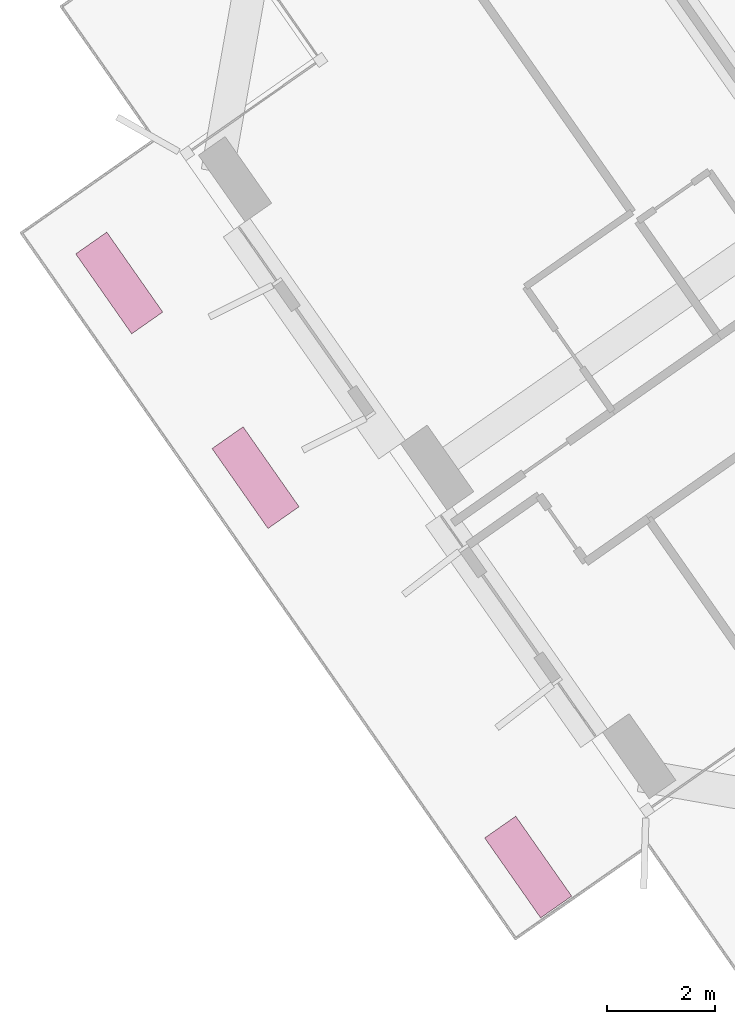
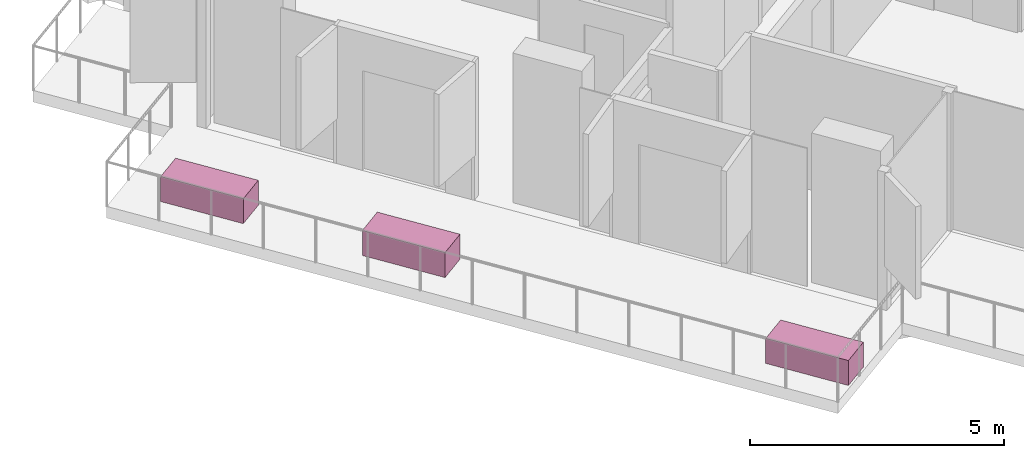
# One storey, part 25 of 25: 3 furniture elements.
"""IFC4 building model written with IfcOpenShell, lengths in metres."""

from ifc_helpers import new_model, si_unit, direction, frame, origin, origin_2d, place, context, subcontext, project, spatial, rectangle, extrude, material, type_object, element, save


model = new_model("IFC4")

# Units and contexts
model_context = context("Model", 3, precision=1e-05, world=origin(), true_north=direction((0.0, 1.0)))
body_context = subcontext(model_context, "Body", "Model", "MODEL_VIEW")
ifc_project = project(units=[si_unit("LENGTHUNIT", "METRE"), si_unit("AREAUNIT", "SQUARE_METRE"), si_unit("VOLUMEUNIT", "CUBIC_METRE"), si_unit("PLANEANGLEUNIT", "RADIAN"), si_unit("MASSUNIT", "GRAM", prefix="KILO")], contexts=[model_context])

# Site, building, storey
site_placement = place(None, origin())
site = spatial("IfcSite", under=ifc_project, at=site_placement, CompositionType="ELEMENT")
building_placement = place(site_placement, origin())
building = spatial("IfcBuilding", under=site, at=building_placement, Name="Tel Ilan Convention Tower", CompositionType="ELEMENT")
storey_placement = place(building_placement, frame((0.0, 0.0, 97.699951171875)))
storey = spatial("IfcBuildingStorey", under=building, at=storey_placement, Name="L20", CompositionType="ELEMENT", Elevation=97.699951171875)

# Furniture
ifc_material = material(Name="Concrete C30/37", Category="concrete")
furniture_type = type_object("IfcFurnitureType", Name="PLANTER 1800x700", AssemblyPlace="NOTDEFINED", PredefinedType="NOTDEFINED", material=ifc_material)
for number, where, z_axis, x_axis, name in (
    (1, (-34.894775390625, -32.97900390625, 0.0), (0.0, 0.0, 1.0), (-0.573576436351, 0.819152044289, 0.0), "PLANTER"),
    (2, (-39.92578125, -25.793701171875, 0.0), (0.0, 0.0, 1.0), (-0.573576436351, 0.819152044289, 0.0), "PLANTER"),
    (3, (-42.44140625, -22.201171875, 0.0), (0.0, 0.0, 1.0), (-0.573576436351, 0.819152044289, 0.0), "PLANTER"),
):
    element("IfcFurniture", number, at=place(storey_placement, frame(where, z_axis=z_axis, x_axis=x_axis)), inside=storey, type_object=furniture_type, Name=name, PredefinedType="NOTDEFINED", context=body_context, shape_type="SweptSolid", body=[
        extrude(rectangle(XDim=1.800048828125, YDim=0.699951171875, at=origin_2d()), origin(), (0.0, 0.0, 1.0), 0.60009765625),
    ])

save(model, "model.ifc")
